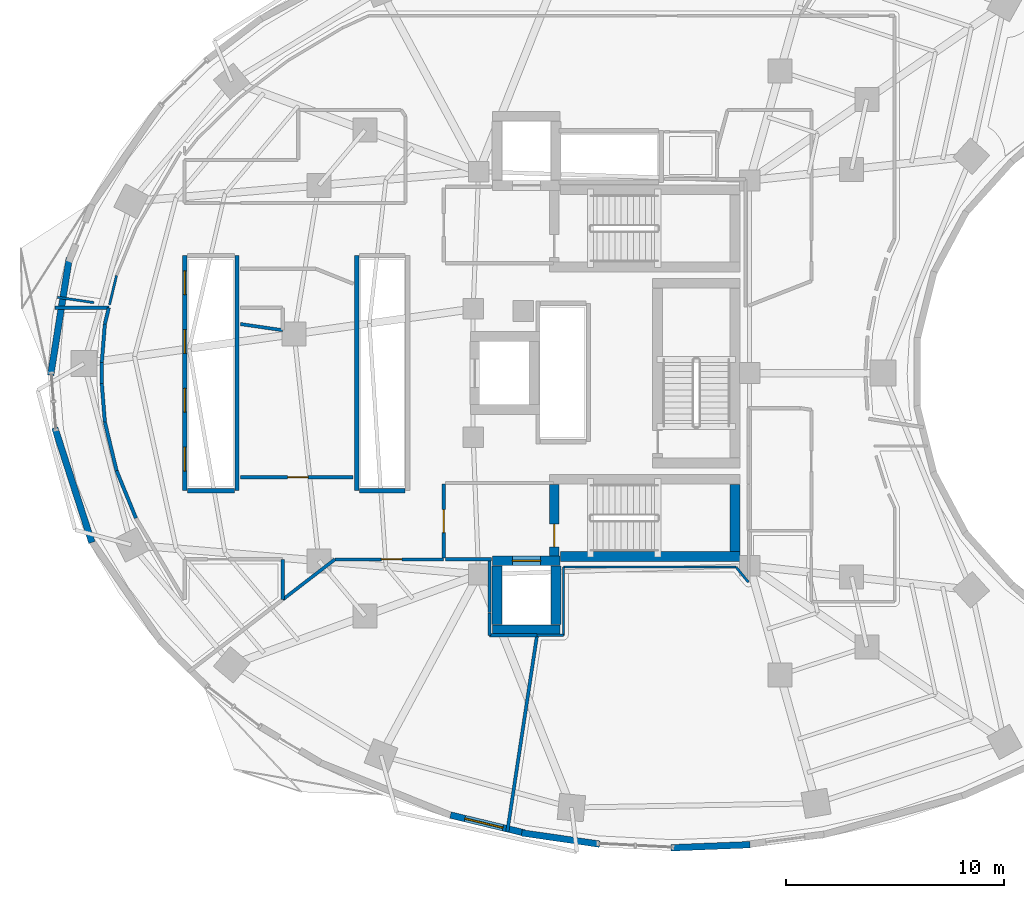
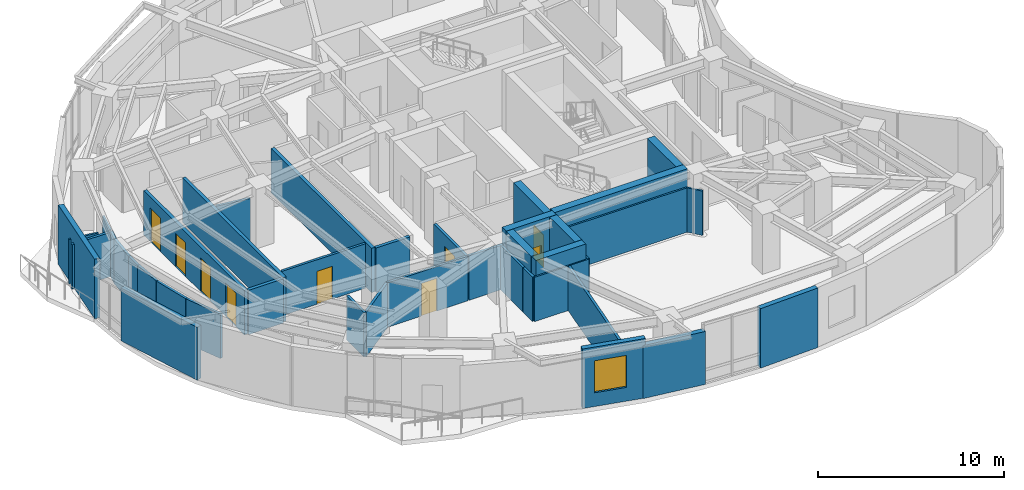
# One storey, part 8 of 14: 41 walls, 9 doors, 1 window, 10 openings.
"""IFC4 building model written with IfcOpenShell, lengths in metres."""

from ifc_helpers import new_model, si_unit, direction, frame, frame_2d, origin, place, context, subcontext, project, spatial, rectangle, extrude, material, layer, layer_set, type_object, element, fill, save


model = new_model("IFC4")

# Units and contexts
model_context = context("Model", 3, precision=1e-05, world=origin(), true_north=direction((0.0, 1.0)))
body_context = subcontext(model_context, "Body", "Model", "MODEL_VIEW")
ifc_project = project(units=[si_unit("LENGTHUNIT", "METRE"), si_unit("AREAUNIT", "SQUARE_METRE"), si_unit("VOLUMEUNIT", "CUBIC_METRE"), si_unit("PLANEANGLEUNIT", "RADIAN"), si_unit("MASSUNIT", "GRAM", prefix="KILO")], contexts=[model_context])

# Site, building, storey
site_placement = place(None, origin())
site = spatial("IfcSite", under=ifc_project, at=site_placement, CompositionType="ELEMENT")
building_placement = place(site_placement, origin())
building = spatial("IfcBuilding", under=site, at=building_placement, Name="Korentha Bioscience Tower", CompositionType="ELEMENT")
storey_placement = place(building_placement, frame((0.0, 0.0, 119.39990234375)))
storey = spatial("IfcBuildingStorey", under=building, at=storey_placement, Name="L27", CompositionType="ELEMENT", Elevation=119.39990234375)

# Wall, opening, door
ifc_material_1 = material(Name="Double-Stud Acoustic Gypsum", Category="gypsum")
ifc_layer_1 = layer(ifc_material_1, 0.14990234375, Name="Double-Stud Acoustic Gypsum")
ifc_layer_set_1 = layer_set([ifc_layer_1], Name="Double-Stud Acoustic Gypsum (IW-L150)")
wall_type_1 = type_object("IfcWallType", Name="Acoustic Laboratory Partition Wall 150", PredefinedType="PARTITIONING", material=ifc_layer_set_1)
wall_1_placement = place(storey_placement, frame((19.340087890625, 22.2099609375, 0.0), z_axis=(0.0, 0.0, 1.0), x_axis=(-1.0, 0.0, 0.0)))
wall_1 = element("IfcWall", 1, at=wall_1_placement, inside=storey, type_object=wall_type_1, Name="L27 Staff Pantry Kitchenette 01 Entrance Wall", PredefinedType="PARTITIONING", context=body_context, shape_type="SweptSolid", body=[
    extrude(rectangle(XDim=5.18017578125, YDim=0.14990234375, at=frame_2d((2.590087890625, 0.0))), origin(), (0.0, 0.0, 1.0), 2.91015625),
])
opening_1_placement = place(wall_1_placement, frame((2.06787109375, 0.0, 0.0)))
opening_1 = element("IfcOpeningElement", 2, at=opening_1_placement, cuts=wall_1, Name="Opening ID-10L", PredefinedType="OPENING", context=body_context, shape_type="SweptSolid", body=[
    extrude(rectangle(XDim=0.949951171875, YDim=2.14990234375, at=frame_2d((0.47509765625, 1.074951171875))), frame((0.0, 0.08984375, 0.0), z_axis=(0.0, -1.0, 0.0), x_axis=(1.0, 0.0, 0.0)), (0.0, 0.0, 1.0), 0.1796875),
])
ifc_material_2 = material(Name="Phenolic Laminate Timber Core", Category="wood")
door_type_1 = type_object("IfcDoorType", Name="Laboratory Single Leaf Door 950x2150 Left", OperationType="SINGLE_SWING_LEFT", PredefinedType="DOOR", material=ifc_material_2)
door_1_placement = place(opening_1_placement, origin())
door_1 = element("IfcDoor", 3, at=door_1_placement, inside=storey, type_object=door_type_1, Name="L27 Staff Pantry Kitchenette 01 Door", OperationType="SINGLE_SWING_LEFT", OverallHeight=2.14990234375, OverallWidth=0.949951171875, PredefinedType="DOOR", context=body_context, shape_type="SweptSolid", body=[
    extrude(rectangle(XDim=0.949951171875, YDim=2.14990234375, at=frame_2d((0.47509765625, 1.074951171875))), frame((0.0, 0.02490234375, 0.0), z_axis=(0.0, -1.0, 0.0), x_axis=(1.0, 0.0, 0.0)), (0.0, 0.0, 1.0), 0.050048828125),
])
fill(opening_1, door_1)

wall_2_placement = place(storey_placement, frame((18.49560546875, 18.43994140625, 0.0), z_axis=(0.0, 0.0, 1.0), x_axis=(1.0, 0.0, 0.0)))
wall_2 = element("IfcWall", 4, at=wall_2_placement, inside=storey, type_object=wall_type_1, Name="L27 Biomechanical Motion Analysis Lab 03 Entrance Wall", PredefinedType="PARTITIONING", context=body_context, shape_type="SweptSolid", body=[
    extrude(rectangle(XDim=4.994384765625, YDim=0.14990234375, at=frame_2d((2.4970703125, 0.0))), origin(), (0.0, 0.0, 1.0), 2.91015625),
])
opening_2_placement = place(wall_2_placement, frame((2.134521484375, 0.0, 0.0)))
opening_2 = element("IfcOpeningElement", 5, at=opening_2_placement, cuts=wall_2, Name="Opening ID-10L", PredefinedType="OPENING", context=body_context, shape_type="SweptSolid", body=[
    extrude(rectangle(XDim=0.949951171875, YDim=2.14990234375, at=frame_2d((0.47509765625, 1.074951171875))), frame((0.0, 0.08984375, 0.0), z_axis=(0.0, -1.0, 0.0), x_axis=(1.0, 0.0, 0.0)), (0.0, 0.0, 1.0), 0.1796875),
])
door_2_placement = place(opening_2_placement, origin())
door_2 = element("IfcDoor", 6, at=door_2_placement, inside=storey, type_object=door_type_1, Name="L27 Biomechanical Motion Analysis Lab 03 Door", OperationType="SINGLE_SWING_LEFT", OverallHeight=2.14990234375, OverallWidth=0.949951171875, PredefinedType="DOOR", context=body_context, shape_type="SweptSolid", body=[
    extrude(rectangle(XDim=0.949951171875, YDim=2.14990234375, at=frame_2d((0.47509765625, 1.074951171875))), frame((0.0, 0.02490234375, 0.0), z_axis=(0.0, -1.0, 0.0), x_axis=(1.0, 0.0, 0.0)), (0.0, 0.0, 1.0), 0.050048828125),
])
fill(opening_2, door_2)

# Walls
wall_3_placement = place(storey_placement, frame((14.16015625, 29.25146484375, 0.0), z_axis=(0.0, 0.0, 1.0), x_axis=(0.989536319699, -0.144283997718, 0.0)))
element("IfcWall", 7, at=wall_3_placement, inside=storey, type_object=wall_type_1, Name="L27 Interior Partition 013", PredefinedType="PARTITIONING", context=body_context, shape_type="SweptSolid", body=[
    extrude(rectangle(XDim=1.957763671875, YDim=0.14990234375, at=frame_2d((0.97900390625, 0.0))), origin(), (0.0, 0.0, 1.0), 2.91015625),
])
wall_4_placement = place(storey_placement, frame((25.60009765625, 18.435791015625, 0.0), z_axis=(0.0, 0.0, 1.0), x_axis=(0.0, -1.0, 0.0)))
element("IfcWall", 8, at=wall_4_placement, inside=storey, type_object=wall_type_1, Name="L27 Interior Partition 029", PredefinedType="PARTITIONING", context=body_context, shape_type="SweptSolid", body=[
    extrude(rectangle(XDim=2.44091796875, YDim=0.14990234375, at=frame_2d((1.220458984375, 0.0))), origin(), (0.0, 0.0, 1.0), 2.91015625),
])
wall_5_placement = place(storey_placement, frame((25.60009765625, 15.98291015625, 0.0), z_axis=(0.0, 0.0, 1.0), x_axis=(0.0, -1.0, 0.0)))
element("IfcWall", 9, at=wall_5_placement, inside=storey, type_object=wall_type_1, Name="L27 Interior Partition 030", PredefinedType="PARTITIONING", context=body_context, shape_type="SweptSolid", body=[
    extrude(rectangle(XDim=1.02880859375, YDim=0.14990234375, at=frame_2d((0.514404296875, 0.0))), origin(), (0.0, 0.0, 1.0), 2.91015625),
])
wall_6_placement = place(storey_placement, frame((25.60400390625, 14.949951171875, 0.0), z_axis=(0.0, 0.0, 1.0), x_axis=(1.0, 0.0, 0.0)))
element("IfcWall", 10, at=wall_6_placement, inside=storey, type_object=wall_type_1, Name="L27 Interior Partition 031", PredefinedType="PARTITIONING", context=body_context, shape_type="SweptSolid", body=[
    extrude(rectangle(XDim=2.17919921875, YDim=0.14990234375, at=frame_2d((1.089599609375, 0.0))), origin(), (0.0, 0.0, 1.0), 2.91015625),
])
wall_7_placement = place(storey_placement, frame((27.783203125, 14.949951171875, 0.0), z_axis=(0.0, 0.0, 1.0), x_axis=(-0.14953925345, -0.988755789706, 0.0)))
element("IfcWall", 11, at=wall_7_placement, inside=storey, type_object=wall_type_1, Name="L27 Interior Partition 032", PredefinedType="PARTITIONING", context=body_context, shape_type="SweptSolid", body=[
    extrude(rectangle(XDim=9.13134765625, YDim=0.14990234375, at=frame_2d((4.565673828125, 0.0))), origin(), (0.0, 0.0, 1.0), 2.91015625),
])
wall_8_placement = place(storey_placement, frame((16.10791015625, 16.601318359375, 0.0), z_axis=(0.0, 0.0, 1.0), x_axis=(0.792313685483, 0.61011394329, 0.0)))
element("IfcWall", 12, at=wall_8_placement, inside=storey, type_object=wall_type_1, Name="L27 Interior Partition 033", PredefinedType="PARTITIONING", context=body_context, shape_type="SweptSolid", body=[
    extrude(rectangle(XDim=3.013671875, YDim=0.14990234375, at=frame_2d((1.5068359375, 0.0))), origin(), (0.0, 0.0, 1.0), 2.91015625),
])
ifc_material_3 = material(Name="Fire-Rated Framed Glass", Category="glass")
ifc_layer_2 = layer(ifc_material_3, 0.110107421875, Name="Fire-Rated Framed Glass")
ifc_layer_set_2 = layer_set([ifc_layer_2], Name="Fire-Rated Framed Glass (IW-G110)")
wall_type_2 = type_object("IfcWallType", Name="Demountable Glazed Office Partition 110", PredefinedType="MOVABLE", material=ifc_layer_set_2)
wall_9_placement = place(storey_placement, frame((29.0, 14.9541015625, 0.0), z_axis=(0.0, 0.0, 1.0), x_axis=(0.0, 1.0, 0.0)))
element("IfcWall", 13, at=wall_9_placement, inside=storey, type_object=wall_type_2, Name="L27 Interior Partition 034", PredefinedType="MOVABLE", context=body_context, shape_type="SweptSolid", body=[
    extrude(rectangle(XDim=3.135986328125, YDim=0.110107421875, at=frame_2d((1.56787109375, 0.0))), origin(), (0.0, 0.0, 1.0), 2.91015625),
])
wall_10_placement = place(storey_placement, frame((29.0, 18.090087890625, 0.0), z_axis=(0.0, 0.0, 1.0), x_axis=(1.0, 0.0, 0.0)))
element("IfcWall", 14, at=wall_10_placement, inside=storey, type_object=wall_type_2, Name="L27 Interior Partition 035", PredefinedType="MOVABLE", context=body_context, shape_type="SweptSolid", body=[
    extrude(rectangle(XDim=7.923828125, YDim=0.110107421875, at=frame_2d((3.9619140625, 0.0))), origin(), (0.0, 0.0, 1.0), 2.91015625),
])
wall_11_placement = place(storey_placement, frame((36.923828125, 18.090087890625, 0.0), z_axis=(0.0, 0.0, 1.0), x_axis=(0.634669983583, -0.772783289117, 0.0)))
element("IfcWall", 15, at=wall_11_placement, inside=storey, type_object=wall_type_2, Name="L27 Interior Partition 036", PredefinedType="MOVABLE", context=body_context, shape_type="SweptSolid", body=[
    extrude(rectangle(XDim=0.899658203125, YDim=0.110107421875, at=frame_2d((0.44970703125, 0.0))), origin(), (0.0, 0.0, 1.0), 2.91015625),
])
wall_12_placement = place(storey_placement, frame((27.793212890625, 14.949951171875, 0.0), z_axis=(0.0, 0.0, 1.0), x_axis=(1.0, 0.0, 0.0)))
element("IfcWall", 16, at=wall_12_placement, inside=storey, type_object=wall_type_2, Name="L27 Interior Partition 044", PredefinedType="MOVABLE", context=body_context, shape_type="SweptSolid", body=[
    extrude(rectangle(XDim=1.20263671875, YDim=0.110107421875, at=frame_2d((0.601318359375, 0.0))), origin(), (0.0, 0.0, 1.0), 2.91015625),
])
wall_13_placement = place(storey_placement, frame((8.4658203125, 31.478515625, 0.0), z_axis=(0.0, 0.0, 1.0), x_axis=(-0.233639910683, -0.972323193252, 0.0)))
element("IfcWall", 17, at=wall_13_placement, inside=storey, type_object=wall_type_2, Name="L27 Interior Partition 073", PredefinedType="MOVABLE", context=body_context, shape_type="SweptSolid", body=[
    extrude(rectangle(XDim=1.383544921875, YDim=0.110107421875, at=frame_2d((0.69189453125, 0.0))), origin(), (0.0, 0.0, 1.0), 2.91015625),
])
wall_14_placement = place(storey_placement, frame((7.42578125, 30.238037109375, 0.0), z_axis=(0.0, 0.0, 1.0), x_axis=(-0.989524406919, 0.144365674976, 0.0)))
element("IfcWall", 18, at=wall_14_placement, inside=storey, type_object=wall_type_2, Name="L27 Interior Partition 074", PredefinedType="MOVABLE", context=body_context, shape_type="SweptSolid", body=[
    extrude(rectangle(XDim=1.694580078125, YDim=0.110107421875, at=frame_2d((0.84716796875, 0.0))), origin(), (0.0, 0.0, 1.0), 2.91015625),
])

# Wall, opening, door
ifc_material_4 = material(Name="Gypsum-Clad Steel Stud", Category="steel")
ifc_layer_3 = layer(ifc_material_4, 0.159912109375, Name="Gypsum-Clad Steel Stud")
ifc_layer_set_3 = layer_set([ifc_layer_3], Name="Gypsum-Clad Steel Stud (IW-C160)")
wall_type_3 = type_object("IfcWallType", Name="Fire-Rated Corridor Partition Wall 160", PredefinedType="PARTITIONING", material=ifc_layer_set_3)
wall_15_placement = place(storey_placement, frame((23.5, 18.5, 0.0), z_axis=(0.0, 0.0, 1.0), x_axis=(0.0, 1.0, 0.0)))
wall_15 = element("IfcWall", 19, at=wall_15_placement, inside=storey, type_object=wall_type_3, Name="L27 FFLS-CW Rated Enclosure Wall", PredefinedType="PARTITIONING", context=body_context, shape_type="SweptSolid", body=[
    extrude(rectangle(XDim=3.39990234375, YDim=0.159912109375, at=frame_2d((1.699951171875, 0.0))), origin(), (0.0, 0.0, 1.0), 2.91015625),
])
opening_3_placement = place(wall_15_placement, frame((1.175048828125, 0.0, 0.0)))
opening_3 = element("IfcOpeningElement", 20, at=opening_3_placement, cuts=wall_15, Name="Opening FD-90R", PredefinedType="OPENING", context=body_context, shape_type="SweptSolid", body=[
    extrude(rectangle(XDim=1.050048828125, YDim=2.14990234375, at=frame_2d((0.52490234375, 1.074951171875))), frame((0.0, 0.0947265625, 0.0), z_axis=(0.0, -1.0, 0.0), x_axis=(1.0, 0.0, 0.0)), (0.0, 0.0, 1.0), 0.189697265625),
])
ifc_material_5 = material(Name="Powder-Coated Fire-Rated Steel", Category="steel")
door_type_2 = type_object("IfcDoorType", Name="Stairwell Fire Exit Door 1050x2150 Right", OperationType="SINGLE_SWING_RIGHT", PredefinedType="DOOR", material=ifc_material_5)
door_3_placement = place(opening_3_placement, origin())
door_3 = element("IfcDoor", 21, at=door_3_placement, inside=storey, type_object=door_type_2, Name="L27 South Firefighting Lobby Door", OperationType="SINGLE_SWING_RIGHT", OverallHeight=2.14990234375, OverallWidth=1.050048828125, PredefinedType="DOOR", context=body_context, shape_type="SweptSolid", body=[
    extrude(rectangle(XDim=1.050048828125, YDim=2.14990234375, at=frame_2d((0.52490234375, 1.074951171875))), frame((0.0, 0.02490234375, 0.0), z_axis=(0.0, -1.0, 0.0), x_axis=(1.0, 0.0, 0.0)), (0.0, 0.0, 1.0), 0.050048828125),
])
fill(opening_3, door_3)

# Walls
wall_16_placement = place(storey_placement, frame((23.580078125, 18.449951171875, 0.0), z_axis=(0.0, 0.0, 1.0), x_axis=(1.0, 0.0, 0.0)))
element("IfcWall", 22, at=wall_16_placement, inside=storey, type_object=wall_type_3, Name="L27 Firefighting Lobby Return Wall FFLS-S", PredefinedType="PARTITIONING", context=body_context, shape_type="SweptSolid", body=[
    extrude(rectangle(XDim=2.119873046875, YDim=0.159912109375, at=frame_2d((1.06005859375, 0.0))), origin(), (0.0, 0.0, 1.0), 2.91015625),
])
wall_17_placement = place(storey_placement, frame((5.638916015625, 29.998046875, 0.0), z_axis=(0.0, 0.0, 1.0), x_axis=(1.0, 0.0, 0.0)))
element("IfcWall", 23, at=wall_17_placement, inside=storey, type_object=wall_type_3, Name="L27 Interior Partition 018", PredefinedType="PARTITIONING", context=body_context, shape_type="SweptSolid", body=[
    extrude(rectangle(XDim=2.47119140625, YDim=0.159912109375, at=frame_2d((1.235595703125, 0.0))), origin(), (0.0, 0.0, 1.0), 2.91015625),
])
wall_18_placement = place(storey_placement, frame((8.110107421875, 29.998046875, 0.0), z_axis=(0.0, 0.0, 1.0), x_axis=(-0.233781391942, -0.972289185779, 0.0)))
element("IfcWall", 24, at=wall_18_placement, inside=storey, type_object=wall_type_3, Name="L27 Interior Partition 019", PredefinedType="PARTITIONING", context=body_context, shape_type="SweptSolid", body=[
    extrude(rectangle(XDim=0.7685546875, YDim=0.159912109375, at=frame_2d((0.38427734375, 0.0))), origin(), (0.0, 0.0, 1.0), 2.91015625),
])
wall_19_placement = place(storey_placement, frame((7.93017578125, 29.249267578125, 0.0), z_axis=(0.0, 0.0, 1.0), x_axis=(-0.079131522864, -0.996864184375, 0.0)))
element("IfcWall", 25, at=wall_19_placement, inside=storey, type_object=wall_type_3, Name="L27 Interior Partition 020", PredefinedType="PARTITIONING", context=body_context, shape_type="SweptSolid", body=[
    extrude(rectangle(XDim=1.77099609375, YDim=0.159912109375, at=frame_2d((0.885498046875, 0.0))), origin(), (0.0, 0.0, 1.0), 2.91015625),
])
wall_20_placement = place(storey_placement, frame((7.7900390625, 27.48291015625, 0.0), z_axis=(0.0, 0.0, 1.0), x_axis=(0.0, -1.0, 0.0)))
element("IfcWall", 26, at=wall_20_placement, inside=storey, type_object=wall_type_3, Name="L27 Interior Partition 021", PredefinedType="PARTITIONING", context=body_context, shape_type="SweptSolid", body=[
    extrude(rectangle(XDim=0.9658203125, YDim=0.159912109375, at=frame_2d((0.48291015625, 0.0))), origin(), (0.0, 0.0, 1.0), 2.91015625),
])
wall_21_placement = place(storey_placement, frame((7.7900390625, 26.51611328125, 0.0), z_axis=(0.0, 0.0, 1.0), x_axis=(0.079131522864, -0.996864184375, 0.0)))
element("IfcWall", 27, at=wall_21_placement, inside=storey, type_object=wall_type_3, Name="L27 Interior Partition 022", PredefinedType="PARTITIONING", context=body_context, shape_type="SweptSolid", body=[
    extrude(rectangle(XDim=1.77099609375, YDim=0.159912109375, at=frame_2d((0.885498046875, 0.0))), origin(), (0.0, 0.0, 1.0), 2.91015625),
])
wall_22_placement = place(storey_placement, frame((7.930419921875, 24.749267578125, 0.0), z_axis=(0.0, 0.0, 1.0), x_axis=(0.233675196412, -0.972314713754, 0.0)))
element("IfcWall", 28, at=wall_22_placement, inside=storey, type_object=wall_type_3, Name="L27 Interior Partition 023", PredefinedType="PARTITIONING", context=body_context, shape_type="SweptSolid", body=[
    extrude(rectangle(XDim=2.291259765625, YDim=0.159912109375, at=frame_2d((1.1455078125, 0.0))), origin(), (0.0, 0.0, 1.0), 2.91015625),
])
wall_23_placement = place(storey_placement, frame((8.46630859375, 22.520263671875, 0.0), z_axis=(0.0, 0.0, 1.0), x_axis=(0.378306283753, -0.925680482495, 0.0)))
element("IfcWall", 29, at=wall_23_placement, inside=storey, type_object=wall_type_3, Name="L27 Interior Partition 024", PredefinedType="PARTITIONING", context=body_context, shape_type="SweptSolid", body=[
    extrude(rectangle(XDim=2.358154296875, YDim=0.159912109375, at=frame_2d((1.17919921875, 0.0))), origin(), (0.0, 0.0, 1.0), 2.91015625),
])
wall_24_placement = place(storey_placement, frame((16.097900390625, 18.43994140625, 0.0), z_axis=(0.0, 0.0, 1.0), x_axis=(0.0, -1.0, 0.0)))
element("IfcWall", 30, at=wall_24_placement, inside=storey, type_object=wall_type_3, Name="L27 Interior Partition 027", PredefinedType="PARTITIONING", context=body_context, shape_type="SweptSolid", body=[
    extrude(rectangle(XDim=1.841064453125, YDim=0.159912109375, at=frame_2d((0.92041015625, 0.0))), origin(), (0.0, 0.0, 1.0), 2.91015625),
])

# Wall, opening, window
ifc_material_6 = material(Name="Honed Limestone Precast Concrete C40", Category="masonry")
ifc_layer_4 = layer(ifc_material_6, 0.300048828125, Name="Honed Limestone Precast Concrete C40")
ifc_layer_set_4 = layer_set([ifc_layer_4], Name="Honed Limestone Precast Concrete C40 (EW-ST300)")
wall_type_4 = type_object("IfcWallType", Name="Honed Limestone Cavity Spandrel Wall 300", PredefinedType="STANDARD", material=ifc_layer_set_4)
wall_25_placement = place(storey_placement, frame((23.80859375, 6.694580078125, 0.0), z_axis=(0.0, 0.0, 1.0), x_axis=(0.972049000874, -0.234778065203, 0.0)))
wall_25 = element("IfcWall", 31, at=wall_25_placement, inside=storey, type_object=wall_type_4, Name="L27 Honed Limestone Spandrel Wall 29", PredefinedType="STANDARD", context=body_context, shape_type="SweptSolid", body=[
    extrude(rectangle(XDim=3.5283203125, YDim=0.300048828125, at=frame_2d((1.76416015625, 0.0))), origin(), (0.0, 0.0, 1.0), 3.900146484375),
])
opening_4_placement = place(wall_25_placement, frame((0.679931640625, 0.0, 0.89990234375)))
opening_4 = element("IfcOpeningElement", 32, at=opening_4_placement, cuts=wall_25, Name="Opening WN-01", PredefinedType="OPENING", context=body_context, shape_type="SweptSolid", body=[
    extrude(rectangle(XDim=1.800048828125, YDim=2.10009765625, at=frame_2d((0.89990234375, 1.050048828125))), frame((0.0, 0.1650390625, 0.0), z_axis=(0.0, -1.0, 0.0), x_axis=(1.0, 0.0, 0.0)), (0.0, 0.0, 1.0), 0.329833984375),
])
ifc_material_7 = material(Name="Thermally Broken Aluminium Triple Glazing", Category="aluminium")
window_type = type_object("IfcWindowType", Name="Triple-Glazed Fixed Bioscience Window 1800x2100", PartitioningType="SINGLE_PANEL", PredefinedType="WINDOW", material=ifc_material_7)
window_placement = place(opening_4_placement, origin())
window = element("IfcWindow", 33, at=window_placement, inside=storey, type_object=window_type, Name="L27 Facade Window 29", OverallHeight=2.10009765625, OverallWidth=1.800048828125, PartitioningType="SINGLE_PANEL", PredefinedType="WINDOW", context=body_context, shape_type="SweptSolid", body=[
    extrude(rectangle(XDim=1.800048828125, YDim=2.10009765625, at=frame_2d((0.89990234375, 1.050048828125))), frame((0.0, 0.030029296875, 0.0), z_axis=(0.0, -1.0, 0.0), x_axis=(1.0, 0.0, 0.0)), (0.0, 0.0, 1.0), 0.06005859375),
])
fill(opening_4, window)

# Walls
wall_26_placement = place(storey_placement, frame((6.29736328125, 32.2841796875, 0.0), z_axis=(0.0, 0.0, 1.0), x_axis=(-0.157279785013, -0.987554084203, 0.0)))
element("IfcWall", 34, at=wall_26_placement, inside=storey, type_object=wall_type_4, Name="L27 Limestone Perimeter Closure Wall 17", PredefinedType="STANDARD", context=body_context, shape_type="SweptSolid", body=[
    extrude(rectangle(XDim=5.453125, YDim=0.300048828125, at=frame_2d((2.7265625, 0.0))), origin(), (0.0, 0.0, 1.0), 3.900146484375),
])
wall_27_placement = place(storey_placement, frame((5.631591796875, 24.48681640625, 0.0), z_axis=(0.0, 0.0, 1.0), x_axis=(0.307599470659, -0.951515930319, 0.0)))
element("IfcWall", 35, at=wall_27_placement, inside=storey, type_object=wall_type_4, Name="L27 Limestone Perimeter Closure Wall 20", PredefinedType="STANDARD", context=body_context, shape_type="SweptSolid", body=[
    extrude(rectangle(XDim=5.534423828125, YDim=0.300048828125, at=frame_2d((2.76708984375, 0.0))), origin(), (0.0, 0.0, 1.0), 3.47021484375),
])
wall_28_placement = place(storey_placement, frame((27.083251953125, 5.874755859375, 0.0), z_axis=(0.0, 0.0, 1.0), x_axis=(0.989734732902, -0.142916613754, 0.0)))
element("IfcWall", 36, at=wall_28_placement, inside=storey, type_object=wall_type_4, Name="L27 Limestone Perimeter Closure Wall 30", PredefinedType="STANDARD", context=body_context, shape_type="SweptSolid", body=[
    extrude(rectangle(XDim=3.611328125, YDim=0.300048828125, at=frame_2d((1.8056640625, 0.0))), origin(), (0.0, 0.0, 1.0), 3.47021484375),
])
wall_29_placement = place(storey_placement, frame((33.94189453125, 5.189453125, 0.0), z_axis=(0.0, 0.0, 1.0), x_axis=(0.999212076676, 0.039689114679, 0.0)))
element("IfcWall", 37, at=wall_29_placement, inside=storey, type_object=wall_type_4, Name="L27 Limestone Perimeter Closure Wall 32", PredefinedType="STANDARD", context=body_context, shape_type="SweptSolid", body=[
    extrude(rectangle(XDim=3.635498046875, YDim=0.300048828125, at=frame_2d((1.81787109375, 0.0))), origin(), (0.0, 0.0, 1.0), 3.900146484375),
])

# Wall, openings, doors
ifc_material_8 = material(Name="Autoclaved Aerated Concrete Block C25", Category="concrete")
ifc_layer_5 = layer(ifc_material_8, 0.199951171875, Name="Autoclaved Aerated Concrete Block C25")
ifc_layer_set_5 = layer_set([ifc_layer_5], Name="Autoclaved Aerated Concrete Block C25 (IW-S200)")
wall_type_5 = type_object("IfcWallType", Name="Lift and Riser Shaft Enclosure Wall 200", PredefinedType="PARTITIONING", material=ifc_layer_set_5)
wall_30_placement = place(storey_placement, frame((11.60009765625, 21.60009765625, 0.0), z_axis=(0.0, 0.0, 1.0), x_axis=(0.0, 1.0, 0.0)))
wall_30 = element("IfcWall", 38, at=wall_30_placement, inside=storey, type_object=wall_type_5, Name="L27 Lift Bank LOW Shaft Wall -X", PredefinedType="PARTITIONING", context=body_context, shape_type="SweptSolid", body=[
    extrude(rectangle(XDim=10.7998046875, YDim=0.199951171875, at=frame_2d((5.39990234375, 0.0))), origin(), (0.0, 0.0, 1.0), 2.91015625),
])
opening_5_placement = place(wall_30_placement, frame((0.89990234375, 0.0, 0.0)))
opening_5 = element("IfcOpeningElement", 39, at=opening_5_placement, cuts=wall_30, Name="Opening LD-11", PredefinedType="OPENING", context=body_context, shape_type="SweptSolid", body=[
    extrude(rectangle(XDim=1.10009765625, YDim=2.199951171875, at=frame_2d((0.550048828125, 1.10009765625))), frame((0.0, 0.11474609375, 0.0), z_axis=(0.0, -1.0, 0.0), x_axis=(1.0, 0.0, 0.0)), (0.0, 0.0, 1.0), 0.229736328125),
])
opening_6_placement = place(wall_30_placement, frame((3.60009765625, 0.0, 0.0)))
opening_6 = element("IfcOpeningElement", 40, at=opening_6_placement, cuts=wall_30, Name="Opening LD-11", PredefinedType="OPENING", context=body_context, shape_type="SweptSolid", body=[
    extrude(rectangle(XDim=1.10009765625, YDim=2.199951171875, at=frame_2d((0.550048828125, 1.10009765625))), frame((0.0, 0.11474609375, 0.0), z_axis=(0.0, -1.0, 0.0), x_axis=(1.0, 0.0, 0.0)), (0.0, 0.0, 1.0), 0.229736328125),
])
opening_7_placement = place(wall_30_placement, frame((6.300048828125, 0.0, 0.0)))
opening_7 = element("IfcOpeningElement", 41, at=opening_7_placement, cuts=wall_30, Name="Opening LD-11", PredefinedType="OPENING", context=body_context, shape_type="SweptSolid", body=[
    extrude(rectangle(XDim=1.10009765625, YDim=2.199951171875, at=frame_2d((0.550048828125, 1.10009765625))), frame((0.0, 0.11474609375, 0.0), z_axis=(0.0, -1.0, 0.0), x_axis=(1.0, 0.0, 0.0)), (0.0, 0.0, 1.0), 0.229736328125),
])
opening_8_placement = place(wall_30_placement, frame((9.0, 0.0, 0.0)))
opening_8 = element("IfcOpeningElement", 42, at=opening_8_placement, cuts=wall_30, Name="Opening LD-11", PredefinedType="OPENING", context=body_context, shape_type="SweptSolid", body=[
    extrude(rectangle(XDim=1.10009765625, YDim=2.199951171875, at=frame_2d((0.550048828125, 1.10009765625))), frame((0.0, 0.11474609375, 0.0), z_axis=(0.0, -1.0, 0.0), x_axis=(1.0, 0.0, 0.0)), (0.0, 0.0, 1.0), 0.229736328125),
])
ifc_material_9 = material(Name="Brushed Stainless Steel 304", Category="steel")
door_type_3 = type_object("IfcDoorType", Name="Passenger Lift Sliding Landing Door 1100x2200", OperationType="DOUBLE_DOOR_SLIDING", PredefinedType="DOOR", material=ifc_material_9)
door_4_placement = place(opening_5_placement, origin())
door_4 = element("IfcDoor", 43, at=door_4_placement, inside=storey, type_object=door_type_3, Name="L27 PL-L1 Sliding Lift Landing Door", OperationType="DOUBLE_DOOR_SLIDING", OverallHeight=2.199951171875, OverallWidth=1.10009765625, PredefinedType="DOOR", context=body_context, shape_type="SweptSolid", body=[
    extrude(rectangle(XDim=1.10009765625, YDim=2.199951171875, at=frame_2d((0.550048828125, 1.10009765625))), frame((0.0, 0.02490234375, 0.0), z_axis=(0.0, -1.0, 0.0), x_axis=(1.0, 0.0, 0.0)), (0.0, 0.0, 1.0), 0.050048828125),
])
fill(opening_5, door_4)
door_5_placement = place(opening_6_placement, origin())
door_5 = element("IfcDoor", 44, at=door_5_placement, inside=storey, type_object=door_type_3, Name="L27 PL-L2 Sliding Lift Landing Door", OperationType="DOUBLE_DOOR_SLIDING", OverallHeight=2.199951171875, OverallWidth=1.10009765625, PredefinedType="DOOR", context=body_context, shape_type="SweptSolid", body=[
    extrude(rectangle(XDim=1.10009765625, YDim=2.199951171875, at=frame_2d((0.550048828125, 1.10009765625))), frame((0.0, 0.02490234375, 0.0), z_axis=(0.0, -1.0, 0.0), x_axis=(1.0, 0.0, 0.0)), (0.0, 0.0, 1.0), 0.050048828125),
])
fill(opening_6, door_5)
door_6_placement = place(opening_7_placement, origin())
door_6 = element("IfcDoor", 45, at=door_6_placement, inside=storey, type_object=door_type_3, Name="L27 PL-L3 Sliding Lift Landing Door", OperationType="DOUBLE_DOOR_SLIDING", OverallHeight=2.199951171875, OverallWidth=1.10009765625, PredefinedType="DOOR", context=body_context, shape_type="SweptSolid", body=[
    extrude(rectangle(XDim=1.10009765625, YDim=2.199951171875, at=frame_2d((0.550048828125, 1.10009765625))), frame((0.0, 0.02490234375, 0.0), z_axis=(0.0, -1.0, 0.0), x_axis=(1.0, 0.0, 0.0)), (0.0, 0.0, 1.0), 0.050048828125),
])
fill(opening_7, door_6)
door_7_placement = place(opening_8_placement, origin())
door_7 = element("IfcDoor", 46, at=door_7_placement, inside=storey, type_object=door_type_3, Name="L27 PL-L4 Sliding Lift Landing Door", OperationType="DOUBLE_DOOR_SLIDING", OverallHeight=2.199951171875, OverallWidth=1.10009765625, PredefinedType="DOOR", context=body_context, shape_type="SweptSolid", body=[
    extrude(rectangle(XDim=1.10009765625, YDim=2.199951171875, at=frame_2d((0.550048828125, 1.10009765625))), frame((0.0, 0.02490234375, 0.0), z_axis=(0.0, -1.0, 0.0), x_axis=(1.0, 0.0, 0.0)), (0.0, 0.0, 1.0), 0.050048828125),
])
fill(opening_8, door_7)

# Walls
wall_31_placement = place(storey_placement, frame((14.0, 21.60009765625, 0.0), z_axis=(0.0, 0.0, 1.0), x_axis=(0.0, 1.0, 0.0)))
element("IfcWall", 47, at=wall_31_placement, inside=storey, type_object=wall_type_5, Name="L27 Lift Bank LOW Shaft Wall +X", PredefinedType="PARTITIONING", context=body_context, shape_type="SweptSolid", body=[
    extrude(rectangle(XDim=10.7998046875, YDim=0.199951171875, at=frame_2d((5.39990234375, 0.0))), origin(), (0.0, 0.0, 1.0), 2.91015625),
])
wall_32_placement = place(storey_placement, frame((11.719970703125, 21.60009765625, 0.0), z_axis=(0.0, 0.0, 1.0), x_axis=(1.0, 0.0, 0.0)))
element("IfcWall", 48, at=wall_32_placement, inside=storey, type_object=wall_type_5, Name="L27 Lift Bank LOW Shaft Wall -Y", PredefinedType="PARTITIONING", context=body_context, shape_type="SweptSolid", body=[
    extrude(rectangle(XDim=2.159912109375, YDim=0.199951171875, at=frame_2d((1.080078125, 0.0))), origin(), (0.0, 0.0, 1.0), 2.91015625),
])
wall_33_placement = place(storey_placement, frame((19.5, 21.60009765625, 0.0), z_axis=(0.0, 0.0, 1.0), x_axis=(0.0, 1.0, 0.0)))
element("IfcWall", 49, at=wall_33_placement, inside=storey, type_object=wall_type_5, Name="L27 Lift Bank MID Shaft Wall -X", PredefinedType="PARTITIONING", context=body_context, shape_type="SweptSolid", body=[
    extrude(rectangle(XDim=10.7998046875, YDim=0.199951171875, at=frame_2d((5.39990234375, 0.0))), origin(), (0.0, 0.0, 1.0), 2.91015625),
])
wall_34_placement = place(storey_placement, frame((19.6201171875, 21.60009765625, 0.0), z_axis=(0.0, 0.0, 1.0), x_axis=(1.0, 0.0, 0.0)))
element("IfcWall", 50, at=wall_34_placement, inside=storey, type_object=wall_type_5, Name="L27 Lift Bank MID Shaft Wall -Y", PredefinedType="PARTITIONING", context=body_context, shape_type="SweptSolid", body=[
    extrude(rectangle(XDim=2.10986328125, YDim=0.199951171875, at=frame_2d((1.054931640625, 0.0))), origin(), (0.0, 0.0, 1.0), 2.91015625),
])
ifc_material_10 = material(Name="Concrete C80", Category="concrete")
ifc_layer_6 = layer(ifc_material_10, 0.449951171875, Name="Concrete C80")
ifc_layer_set_6 = layer_set([ifc_layer_6], Name="Concrete C80 (CW-C80)")
wall_type_6 = type_object("IfcWallType", Name="Lower Core Shear Wall 450", PredefinedType="SHEAR", material=ifc_layer_set_6)
wall_35_placement = place(storey_placement, frame((28.85205078125, 18.574951171875, 0.0), z_axis=(0.0, 0.0, 1.0), x_axis=(1.0, 0.0, 0.0)))
element("IfcWall", 51, at=wall_35_placement, inside=storey, type_object=wall_type_6, Name="L27 Core Shear Wall ST2-S", PredefinedType="SHEAR", context=body_context, shape_type="SweptSolid", body=[
    extrude(rectangle(XDim=8.248046875, YDim=0.449951171875, at=frame_2d((4.1240234375, 0.0))), origin(), (0.0, 0.0, 1.0), 3.900146484375),
])
wall_36_placement = place(storey_placement, frame((36.875, 18.81005859375, 0.0), z_axis=(0.0, 0.0, 1.0), x_axis=(0.0, 1.0, 0.0)))
element("IfcWall", 52, at=wall_36_placement, inside=storey, type_object=wall_type_6, Name="L27 Core Shear Wall ST2-E", PredefinedType="SHEAR", context=body_context, shape_type="SweptSolid", body=[
    extrude(rectangle(XDim=3.079833984375, YDim=0.449951171875, at=frame_2d((1.5400390625, 0.0))), origin(), (0.0, 0.0, 1.0), 3.900146484375),
])

# Wall, opening, door
wall_37_placement = place(storey_placement, frame((28.574951171875, 18.60693359375, 0.0), z_axis=(0.0, 0.0, 1.0), x_axis=(0.0, 1.0, 0.0)))
wall_37 = element("IfcWall", 53, at=wall_37_placement, inside=storey, type_object=wall_type_6, Name="L27 Core Shear Wall ST2-W", PredefinedType="SHEAR", context=body_context, shape_type="SweptSolid", body=[
    extrude(rectangle(XDim=3.282958984375, YDim=0.449951171875, at=frame_2d((1.6416015625, 0.0))), origin(), (0.0, 0.0, 1.0), 3.900146484375),
])
opening_9_placement = place(wall_37_placement, frame((0.403076171875, 0.0, 0.0)))
opening_9 = element("IfcOpeningElement", 54, at=opening_9_placement, cuts=wall_37, Name="Opening FD-90R", PredefinedType="OPENING", context=body_context, shape_type="SweptSolid", body=[
    extrude(rectangle(XDim=1.050048828125, YDim=2.14990234375, at=frame_2d((0.52490234375, 1.074951171875))), frame((0.0, 0.23974609375, 0.0), z_axis=(0.0, -1.0, 0.0), x_axis=(1.0, 0.0, 0.0)), (0.0, 0.0, 1.0), 0.479736328125),
])
door_8_placement = place(opening_9_placement, origin())
door_8 = element("IfcDoor", 55, at=door_8_placement, inside=storey, type_object=door_type_2, Name="L27 ST-2 Fire Exit Stair Door", OperationType="SINGLE_SWING_RIGHT", OverallHeight=2.14990234375, OverallWidth=1.050048828125, PredefinedType="DOOR", context=body_context, shape_type="SweptSolid", body=[
    extrude(rectangle(XDim=1.050048828125, YDim=2.14990234375, at=frame_2d((0.52490234375, 1.074951171875))), frame((0.0, 0.02490234375, 0.0), z_axis=(0.0, -1.0, 0.0), x_axis=(1.0, 0.0, 0.0)), (0.0, 0.0, 1.0), 0.050048828125),
])
fill(opening_9, door_8)

# Wall
wall_38_placement = place(storey_placement, frame((25.75, 15.199951171875, 0.0), z_axis=(0.0, 0.0, 1.0), x_axis=(1.0, 0.0, 0.0)))
element("IfcWall", 56, at=wall_38_placement, inside=storey, type_object=wall_type_6, Name="L27 Core Shear Wall FFL1-S", PredefinedType="SHEAR", context=body_context, shape_type="SweptSolid", body=[
    extrude(rectangle(XDim=3.10009765625, YDim=0.449951171875, at=frame_2d((1.550048828125, 0.0))), origin(), (0.0, 0.0, 1.0), 3.900146484375),
])

# Wall, opening, door
wall_39_placement = place(storey_placement, frame((25.75, 18.3798828125, 0.0), z_axis=(0.0, 0.0, 1.0), x_axis=(1.0, 0.0, 0.0)))
wall_39 = element("IfcWall", 57, at=wall_39_placement, inside=storey, type_object=wall_type_6, Name="L27 Core Shear Wall FFL1-N", PredefinedType="SHEAR", context=body_context, shape_type="SweptSolid", body=[
    extrude(rectangle(XDim=3.10009765625, YDim=0.449951171875, at=frame_2d((1.550048828125, 0.0))), origin(), (0.0, 0.0, 1.0), 3.900146484375),
])
opening_10_placement = place(wall_39_placement, frame((0.89990234375, 0.0, 0.0)))
opening_10 = element("IfcOpeningElement", 58, at=opening_10_placement, cuts=wall_39, Name="Opening LD-13", PredefinedType="OPENING", context=body_context, shape_type="SweptSolid", body=[
    extrude(rectangle(XDim=1.300048828125, YDim=2.199951171875, at=frame_2d((0.64990234375, 1.10009765625))), frame((0.0, 0.23974609375, 0.0), z_axis=(0.0, -1.0, 0.0), x_axis=(1.0, 0.0, 0.0)), (0.0, 0.0, 1.0), 0.479736328125),
])
ifc_material_11 = material(Name="Brushed Stainless Steel 316", Category="steel")
door_type_4 = type_object("IfcDoorType", Name="Service & Firefighting Lift Landing Door 1300x2300", OperationType="DOUBLE_DOOR_SLIDING", PredefinedType="DOOR", material=ifc_material_11)
door_9_placement = place(opening_10_placement, origin())
door_9 = element("IfcDoor", 59, at=door_9_placement, inside=storey, type_object=door_type_4, Name="L27 FFL-1 Sliding Lift Landing Door", OperationType="DOUBLE_DOOR_SLIDING", OverallHeight=2.199951171875, OverallWidth=1.300048828125, PredefinedType="DOOR", context=body_context, shape_type="SweptSolid", body=[
    extrude(rectangle(XDim=1.300048828125, YDim=2.199951171875, at=frame_2d((0.64990234375, 1.10009765625))), frame((0.0, 0.02490234375, 0.0), z_axis=(0.0, -1.0, 0.0), x_axis=(1.0, 0.0, 0.0)), (0.0, 0.0, 1.0), 0.050048828125),
])
fill(opening_10, door_9)

# Walls
for number, where, z_axis, x_axis, name in (
    (60, (25.949951171875, 15.43994140625, 0.0), (0.0, 0.0, 1.0), (0.0, 1.0, 0.0), "L27 Core Shear Wall FFL1-W"),
    (61, (28.64990234375, 15.43994140625, 0.0), (0.0, 0.0, 1.0), (0.0, 1.0, 0.0), "L27 Core Shear Wall FFL1-E"),
):
    element("IfcWall", number, at=place(storey_placement, frame(where, z_axis=z_axis, x_axis=x_axis)), inside=storey, type_object=wall_type_6, Name=name, PredefinedType="SHEAR", context=body_context, shape_type="SweptSolid", body=[
        extrude(rectangle(XDim=2.699951171875, YDim=0.449951171875, at=frame_2d((1.35009765625, 0.0))), origin(), (0.0, 0.0, 1.0), 3.900146484375),
    ])

save(model, "model.ifc")
